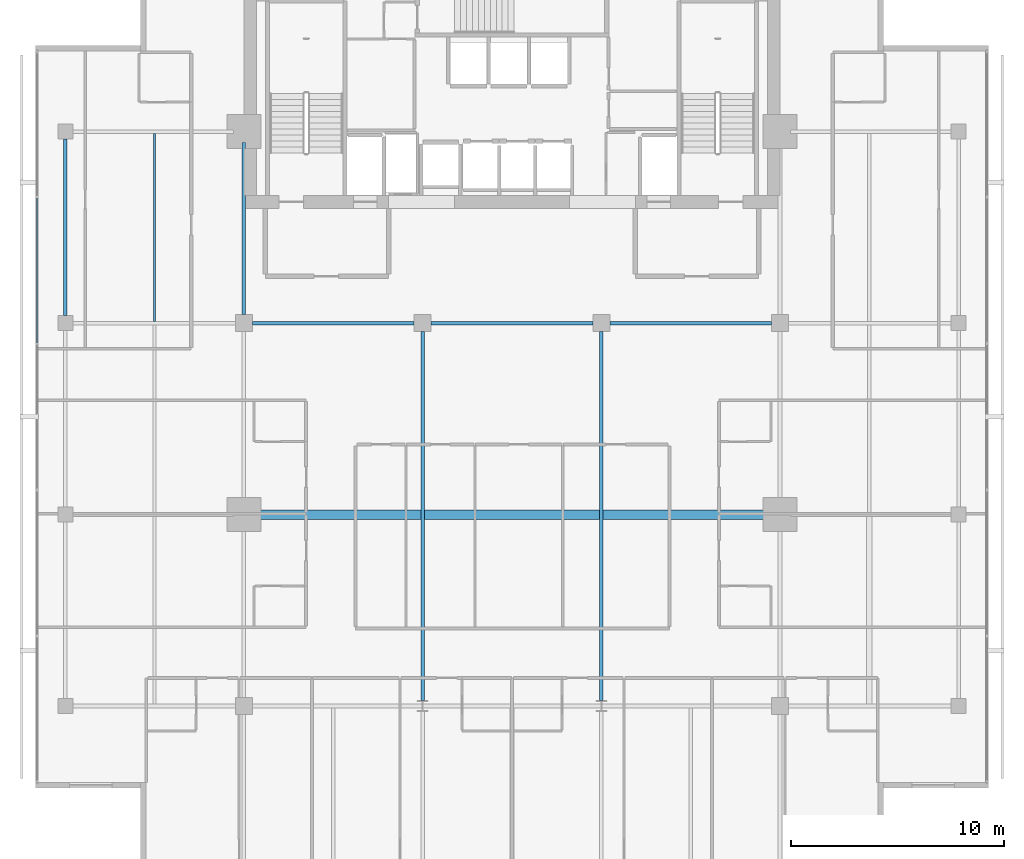
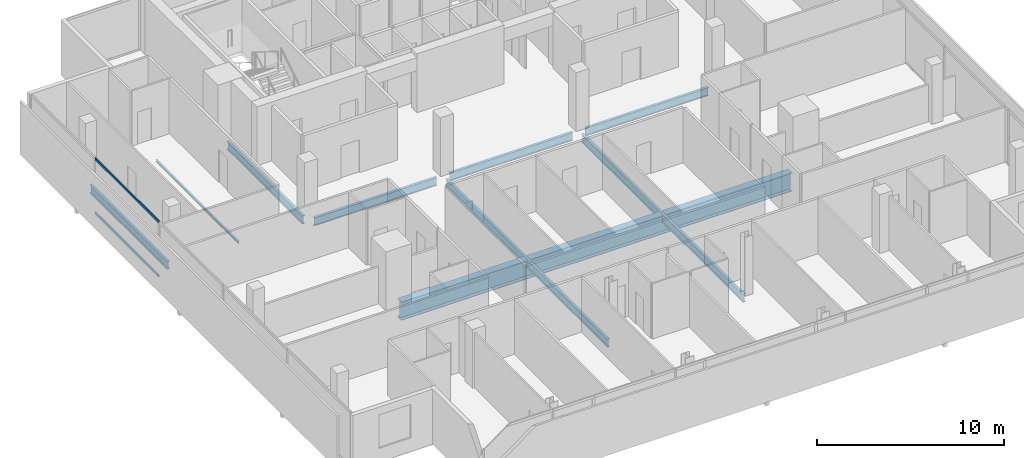
# One storey, part 9 of 25: 9 beams, 2 members, 1 element without a shape of its own.
"""IFC4 building model written with IfcOpenShell, lengths in metres."""

from ifc_helpers import new_model, si_unit, direction, frame, origin, origin_2d, place, context, subcontext, project, spatial, hollow_rectangle, i_section, extrude, material, layer, layer_set, material_profile, profile_set, type_object, element, aggregate, save


model = new_model("IFC4")

# Units and contexts
model_context = context("Model", 3, precision=1e-05, world=origin(), true_north=direction((0.0, 1.0)))
body_context = subcontext(model_context, "Body", "Model", "MODEL_VIEW")
ifc_project = project(units=[si_unit("LENGTHUNIT", "METRE"), si_unit("AREAUNIT", "SQUARE_METRE"), si_unit("VOLUMEUNIT", "CUBIC_METRE"), si_unit("PLANEANGLEUNIT", "RADIAN"), si_unit("MASSUNIT", "GRAM", prefix="KILO")], contexts=[model_context])

# Site, building, storey
site_placement = place(None, origin())
site = spatial("IfcSite", under=ifc_project, at=site_placement, CompositionType="ELEMENT")
building_placement = place(site_placement, origin())
building = spatial("IfcBuilding", under=site, at=building_placement, Name="Maruvema Waterfront Hotel and Observation Tower", CompositionType="ELEMENT")
storey_placement = place(building_placement, frame((0.0, 0.0, 308.699951171875)))
storey = spatial("IfcBuildingStorey", under=building, at=storey_placement, Name="L76", CompositionType="ELEMENT", Elevation=308.699951171875)

# Curtain wall, members
ifc_material_1 = material(Name="Anodised bronze aluminium and solar-control low-E IGU", Category="aluminium")
ifc_layer = layer(ifc_material_1, 0.159912109375, Name="Zone 3 Champagne Inner Thermal Curtain Wall System CW-04")
ifc_layer_set = layer_set([ifc_layer], Name="Anodised bronze aluminium and solar-control low-E IGU")
curtain_wall_type = type_object("IfcCurtainWallType", Name="Zone 3 Champagne Inner Thermal Curtain Wall System CW-04", PredefinedType="USERDEFINED", material=ifc_layer_set)
curtain_wall_placement = place(storey_placement, origin())
curtain_wall = element("IfcCurtainWall", 1, at=curtain_wall_placement, inside=storey, type_object=curtain_wall_type, Name="L76 Curtain Wall CW-L76-W", ObjectType="UNITISED CURTAIN WALL", PredefinedType="USERDEFINED")
ifc_material_2 = material(Name="Anodised architectural bronze aluminium", Category="aluminium")
ifc_material_profile_1 = material_profile(ifc_material_2, hollow_rectangle(XDim=0.070068359375, YDim=0.14990234375, WallThickness=0.00390625, at=origin_2d()), Name="ALU-T70x150")
ifc_profile_set_1 = profile_set([ifc_material_profile_1], Name="Anodised architectural bronze aluminium")
member_type = type_object("IfcMemberType", Name="Curtain Wall Horizontal Transom ALU-T70x150", PredefinedType="USERDEFINED", material=ifc_profile_set_1)
member_1_placement = place(storey_placement, frame((15.47998046875, 41.889892578125, 0.030029296875), z_axis=(0.0, -1.0, 0.0), x_axis=(1.0, 0.0, 0.0)))
member_1 = element("IfcMember", 2, at=member_1_placement, type_object=member_type, Name="CW-04 transom 2.1", ObjectType="TRANSOM", PredefinedType="USERDEFINED", context=body_context, shape_type="SweptSolid", body=[
    extrude(hollow_rectangle(XDim=0.070068359375, YDim=0.14990234375, WallThickness=0.00390625, at=origin_2d()), origin(), (0.0, 0.0, 1.0), 6.81982421875),
])
member_2_placement = place(storey_placement, frame((15.47998046875, 41.889892578125, 3.580078125), z_axis=(0.0, -1.0, 0.0), x_axis=(1.0, 0.0, 0.0)))
member_2 = element("IfcMember", 3, at=member_2_placement, type_object=member_type, Name="CW-04 transom 2.2", ObjectType="TRANSOM", PredefinedType="USERDEFINED", context=body_context, shape_type="SweptSolid", body=[
    extrude(hollow_rectangle(XDim=0.070068359375, YDim=0.14990234375, WallThickness=0.00390625, at=origin_2d()), origin(), (0.0, 0.0, 1.0), 6.81982421875),
])
aggregate(curtain_wall, [member_1, member_2])

# Beams
ifc_material_3 = material(Name="Steel ASTM A572 Grade 50", Category="steel")
ifc_material_profile_2 = material_profile(ifc_material_3, i_section(OverallWidth=0.166015625, OverallDepth=0.529052734375, WebThickness=0.009765625, FlangeThickness=0.013671875, FilletRadius=0.014892578125, at=origin_2d()), Name="W530x74.0")
ifc_profile_set_2 = profile_set([ifc_material_profile_2], Name="Steel ASTM A572 Grade 50")
beam_type_1 = type_object("IfcBeamType", Name="Primary Floor Girder W530x74.0", PredefinedType="BEAM", material=ifc_profile_set_2)
beam_1_placement = place(storey_placement, frame((25.60009765625, 36.0, -0.50439453125), z_axis=(1.0, 0.0, 0.0), x_axis=(0.0, 1.0, 0.0)))
element("IfcBeam", 4, at=beam_1_placement, inside=storey, type_object=beam_type_1, Name="L76 Floor Girder EW-13", PredefinedType="BEAM", context=body_context, shape_type="SweptSolid", body=[
    extrude(i_section(OverallWidth=0.166015625, OverallDepth=0.529052734375, WebThickness=0.009765625, FlangeThickness=0.013671875, FilletRadius=0.014892578125, at=origin_2d()), origin(), (0.0, 0.0, 1.0), 7.599853515625),
])
for number, where, z_axis, x_axis, name in (
    (5, (34.0, 36.0, -0.50439453125), (1.0, 0.0, 0.0), (0.0, 1.0, 0.0), "L76 Floor Girder EW-14"),
    (6, (42.39990234375, 36.0, -0.50439453125), (1.0, 0.0, 0.0), (0.0, 1.0, 0.0), "L76 Floor Girder EW-15"),
):
    element("IfcBeam", number, at=place(storey_placement, frame(where, z_axis=z_axis, x_axis=x_axis)), inside=storey, type_object=beam_type_1, Name=name, PredefinedType="BEAM", context=body_context, shape_type="SweptSolid", body=[
        extrude(i_section(OverallWidth=0.166015625, OverallDepth=0.529052734375, WebThickness=0.009765625, FlangeThickness=0.013671875, FilletRadius=0.014892578125, at=origin_2d()), origin(), (0.0, 0.0, 1.0), 7.60009765625),
    ])
beam_2_placement = place(storey_placement, frame((16.800048828125, 36.35009765625, -0.50439453125), z_axis=(0.0, 1.0, 0.0), x_axis=(-1.0, 0.0, 0.0)))
element("IfcBeam", 7, at=beam_2_placement, inside=storey, type_object=beam_type_1, Name="L76 Floor Girder NS-03", PredefinedType="BEAM", context=body_context, shape_type="SweptSolid", body=[
    extrude(i_section(OverallWidth=0.166015625, OverallDepth=0.529052734375, WebThickness=0.009765625, FlangeThickness=0.013671875, FilletRadius=0.014892578125, at=origin_2d()), origin(), (0.0, 0.0, 1.0), 8.2998046875),
])
beam_3_placement = place(storey_placement, frame((25.199951171875, 36.39990234375, -0.50439453125), z_axis=(0.0, 1.0, 0.0), x_axis=(-1.0, 0.0, 0.0)))
element("IfcBeam", 8, at=beam_3_placement, inside=storey, type_object=beam_type_1, Name="L76 Floor Girder NS-07", PredefinedType="BEAM", context=body_context, shape_type="SweptSolid", body=[
    extrude(i_section(OverallWidth=0.166015625, OverallDepth=0.529052734375, WebThickness=0.009765625, FlangeThickness=0.013671875, FilletRadius=0.014892578125, at=origin_2d()), origin(), (0.0, 0.0, 1.0), 8.10009765625),
])
for number, where, z_axis, x_axis, name in (
    (9, (33.60009765625, 18.25, -0.50439453125), (0.0, 1.0, 0.0), (-1.0, 0.0, 0.0), "L76 Floor Girder NS-09"),
    (10, (42.0, 18.25, -0.50439453125), (0.0, 1.0, 0.0), (-1.0, 0.0, 0.0), "L76 Floor Girder NS-11"),
):
    element("IfcBeam", number, at=place(storey_placement, frame(where, z_axis=z_axis, x_axis=x_axis)), inside=storey, type_object=beam_type_1, Name=name, PredefinedType="BEAM", context=body_context, shape_type="SweptSolid", body=[
        extrude(i_section(OverallWidth=0.166015625, OverallDepth=0.529052734375, WebThickness=0.009765625, FlangeThickness=0.013671875, FilletRadius=0.014892578125, at=origin_2d()), origin(), (0.0, 0.0, 1.0), 17.35009765625),
    ])
ifc_material_4 = material(Name="Steel ASTM A572 Grade 50", Category="steel")
ifc_material_profile_3 = material_profile(ifc_material_4, i_section(OverallWidth=0.10009765625, OverallDepth=0.153076171875, WebThickness=0.005859375, FlangeThickness=0.007080078125, FilletRadius=0.008056640625, at=origin_2d()), Name="W150x18.0")
ifc_profile_set_3 = profile_set([ifc_material_profile_3], Name="Steel ASTM A572 Grade 50")
beam_type_2 = type_object("IfcBeamType", Name="Secondary Floor Joist W150x18.0", PredefinedType="JOIST", material=ifc_profile_set_3)
beam_4_placement = place(storey_placement, frame((21.0, 36.0830078125, -0.31640625), z_axis=(0.0, 1.0, 0.0), x_axis=(-1.0, 0.0, 0.0)))
element("IfcBeam", 11, at=beam_4_placement, inside=storey, type_object=beam_type_2, Name="L76 Secondary Floor Joist JS-03", PredefinedType="JOIST", context=body_context, shape_type="SweptSolid", body=[
    extrude(i_section(OverallWidth=0.10009765625, OverallDepth=0.153076171875, WebThickness=0.005859375, FlangeThickness=0.007080078125, FilletRadius=0.008056640625, at=origin_2d()), origin(), (0.0, 0.0, 1.0), 8.833984375),
])
ifc_material_5 = material(Name="Steel ABNT NBR 7007 AR 415 (ASTM A572 Grade 50)", Category="steel")
ifc_material_profile_4 = material_profile(ifc_material_5, i_section(OverallWidth=0.449951171875, OverallDepth=1.199951171875, WebThickness=0.01904296875, FlangeThickness=0.031982421875, at=origin_2d()), Name="VS1200x366")
ifc_profile_set_4 = profile_set([ifc_material_profile_4], Name="Steel ABNT NBR 7007 AR 415 (ASTM A572 Grade 50)")
beam_type_3 = type_object("IfcBeamType", Name="Upper Setback Transfer Girder VS1200x366", PredefinedType="USERDEFINED", material=ifc_profile_set_4)
beam_5_placement = place(storey_placement, frame((25.699951171875, 27.0, -0.83984375), z_axis=(1.0, 0.0, 0.0), x_axis=(0.0, 1.0, 0.0)))
element("IfcBeam", 12, at=beam_5_placement, inside=storey, type_object=beam_type_3, Name="L76 Floor Girder EW-10", ObjectType="TRANSFER GIRDER", PredefinedType="USERDEFINED", context=body_context, shape_type="SweptSolid", body=[
    extrude(i_section(OverallWidth=0.449951171875, OverallDepth=1.199951171875, WebThickness=0.01904296875, FlangeThickness=0.031982421875, at=origin_2d()), origin(), (0.0, 0.0, 1.0), 24.199951171875),
])

save(model, "model.ifc")
